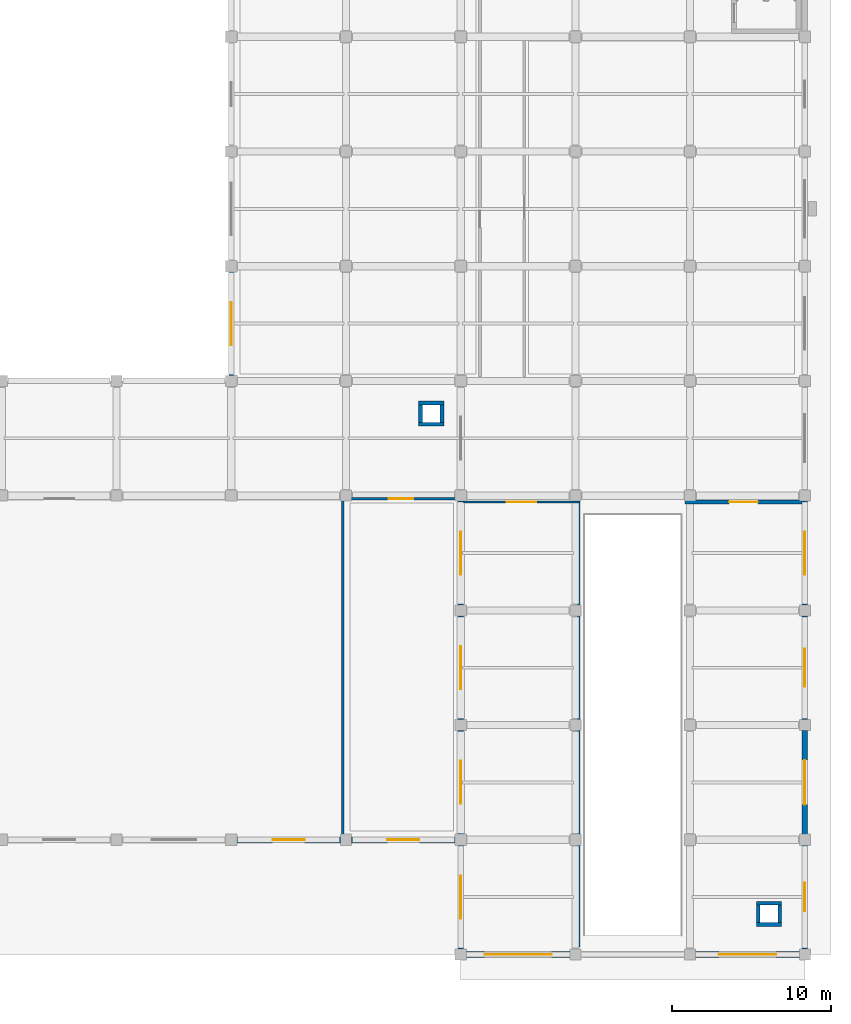
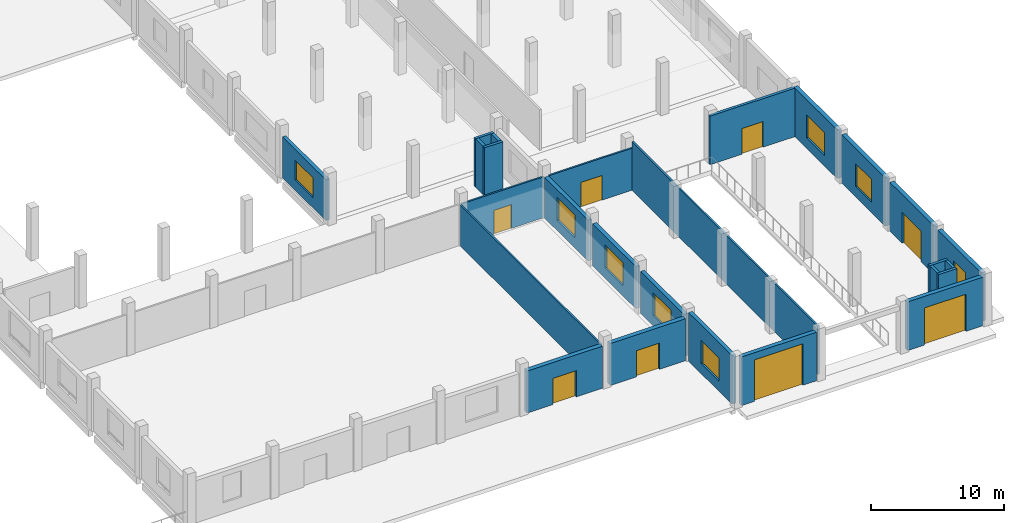
# One storey, part 40 of 59: 26 walls, 8 doors, 8 windows, 16 openings.
"""IFC4 building model written with IfcOpenShell, lengths in metres."""

from ifc_helpers import new_model, si_unit, direction, frame, frame_2d, origin, place, context, subcontext, project, spatial, rectangle, extrude, material, layer, layer_set, type_object, element, fill, save


model = new_model("IFC4")

# Units and contexts
model_context = context("Model", 3, precision=1e-05, world=origin(), true_north=direction((0.0, 1.0)))
body_context = subcontext(model_context, "Body", "Model", "MODEL_VIEW")
ifc_project = project(units=[si_unit("LENGTHUNIT", "METRE"), si_unit("AREAUNIT", "SQUARE_METRE"), si_unit("VOLUMEUNIT", "CUBIC_METRE"), si_unit("PLANEANGLEUNIT", "RADIAN"), si_unit("MASSUNIT", "GRAM", prefix="KILO")], contexts=[model_context])

# Site, building, storey
site_placement = place(None, origin())
site = spatial("IfcSite", under=ifc_project, at=site_placement, CompositionType="ELEMENT")
building_placement = place(site_placement, origin())
building = spatial("IfcBuilding", under=site, at=building_placement, Name="Valkovuoma Quantum and Materials Research Institute", CompositionType="ELEMENT")
storey_placement = place(building_placement, origin())
storey = spatial("IfcBuildingStorey", under=building, at=storey_placement, Name="L00", CompositionType="ELEMENT", Elevation=0.0)

# Wall, opening, window
ifc_material_1 = material(Name="Precast concrete C40/50", Category="concrete")
ifc_layer_1 = layer(ifc_material_1, 0.300048828125)
ifc_layer_set_1 = layer_set([ifc_layer_1], Name="Precast concrete C40/50")
wall_type_1 = type_object("IfcWallType", Name="Wall-W-EXT300", PredefinedType="SOLIDWALL", material=ifc_layer_set_1)
wall_1_placement = place(storey_placement, frame((129.60009765625, 36.340087890625, 0.0), z_axis=(0.0, 0.0, 1.0), x_axis=(0.0, 1.0, 0.0)))
wall_1 = element("IfcWall", 1, at=wall_1_placement, inside=storey, type_object=wall_type_1, Name="L00 exterior wall 0187", PredefinedType="SOLIDWALL", context=body_context, shape_type="SweptSolid", body=[
    extrude(rectangle(XDim=6.52001953125, YDim=0.300048828125, at=frame_2d((3.260009765625, 0.0))), origin(), (0.0, 0.0, 1.0), 3.75),
])
opening_1_placement = place(wall_1_placement, frame((1.909912109375, 0.0, 0.949951171875)))
opening_1 = element("IfcOpeningElement", 2, at=opening_1_placement, cuts=wall_1, Name="Opening WN-WL11", PredefinedType="OPENING", context=body_context, shape_type="SweptSolid", body=[
    extrude(rectangle(XDim=2.699951171875, YDim=1.800048828125, at=frame_2d((1.35009765625, 0.89990234375))), frame((0.0, 0.16015625, 0.0), z_axis=(0.0, -1.0, 0.0), x_axis=(1.0, 0.0, 0.0)), (0.0, 0.0, 1.0), 0.320068359375),
])
ifc_material_2 = material(Name="Triple low-E argon glazing in thermally broken aluminium frame", Category="aluminium")
window_type_1 = type_object("IfcWindowType", Name="Win-WN-WL11", PartitioningType="SINGLE_PANEL", PredefinedType="WINDOW", material=ifc_material_2)
window_1_placement = place(opening_1_placement, origin())
window_1 = element("IfcWindow", 3, at=window_1_placement, inside=storey, type_object=window_type_1, Name="L00 window 0216", OverallHeight=1.800048828125, OverallWidth=2.699951171875, PartitioningType="SINGLE_PANEL", PredefinedType="WINDOW", context=body_context, shape_type="SweptSolid", body=[
    extrude(rectangle(XDim=2.699951171875, YDim=1.800048828125, at=frame_2d((1.35009765625, 0.89990234375))), frame((0.0, 0.030029296875, 0.0), z_axis=(0.0, -1.0, 0.0), x_axis=(1.0, 0.0, 0.0)), (0.0, 0.0, 1.0), 0.06005859375),
])
fill(opening_1, window_1)

ifc_material_3 = material(Name="Precast concrete C40/50", Category="concrete")
ifc_layer_2 = layer(ifc_material_3, 0.340087890625)
ifc_layer_set_2 = layer_set([ifc_layer_2], Name="Precast concrete C40/50")
wall_type_2 = type_object("IfcWallType", Name="Wall-W-EXT340", PredefinedType="SOLIDWALL", material=ifc_layer_set_2)
wall_2_placement = place(storey_placement, frame((144.0, 0.340087890625, 0.0), z_axis=(0.0, 0.0, 1.0), x_axis=(0.0, 1.0, 0.0)))
wall_2 = element("IfcWall", 4, at=wall_2_placement, inside=storey, type_object=wall_type_2, Name="L00 exterior wall 0200", PredefinedType="SOLIDWALL", context=body_context, shape_type="SweptSolid", body=[
    extrude(rectangle(XDim=6.52001953125, YDim=0.340087890625, at=frame_2d((3.260009765625, 0.0))), origin(), (0.0, 0.0, 1.0), 4.449951171875),
])
opening_2_placement = place(wall_2_placement, frame((1.909912109375, 0.0, 0.949951171875)))
opening_2 = element("IfcOpeningElement", 5, at=opening_2_placement, cuts=wall_2, Name="Opening WN-WL04", PredefinedType="OPENING", context=body_context, shape_type="SweptSolid", body=[
    extrude(rectangle(XDim=2.699951171875, YDim=2.10009765625, at=frame_2d((1.35009765625, 1.050048828125))), frame((0.0, 0.18017578125, 0.0), z_axis=(0.0, -1.0, 0.0), x_axis=(1.0, 0.0, 0.0)), (0.0, 0.0, 1.0), 0.360107421875),
])
ifc_material_4 = material(Name="Triple low-E argon glazing in thermally broken aluminium frame", Category="aluminium")
window_type_2 = type_object("IfcWindowType", Name="Win-WN-WL04", PartitioningType="SINGLE_PANEL", PredefinedType="WINDOW", material=ifc_material_4)
window_2_placement = place(opening_2_placement, origin())
window_2 = element("IfcWindow", 6, at=window_2_placement, inside=storey, type_object=window_type_2, Name="L00 window 0226", OverallHeight=2.10009765625, OverallWidth=2.699951171875, PartitioningType="SINGLE_PANEL", PredefinedType="WINDOW", context=body_context, shape_type="SweptSolid", body=[
    extrude(rectangle(XDim=2.699951171875, YDim=2.10009765625, at=frame_2d((1.35009765625, 1.050048828125))), frame((0.0, 0.030029296875, 0.0), z_axis=(0.0, -1.0, 0.0), x_axis=(1.0, 0.0, 0.0)), (0.0, 0.0, 1.0), 0.06005859375),
])
fill(opening_2, window_2)

wall_3_placement = place(storey_placement, frame((144.0, 7.5400390625, 0.0), z_axis=(0.0, 0.0, 1.0), x_axis=(0.0, 1.0, 0.0)))
wall_3 = element("IfcWall", 7, at=wall_3_placement, inside=storey, type_object=wall_type_2, Name="L00 exterior wall 0201", PredefinedType="SOLIDWALL", context=body_context, shape_type="SweptSolid", body=[
    extrude(rectangle(XDim=6.52001953125, YDim=0.340087890625, at=frame_2d((3.260009765625, 0.0))), origin(), (0.0, 0.0, 1.0), 3.85009765625),
])
opening_3_placement = place(wall_3_placement, frame((1.909912109375, 0.0, 0.949951171875)))
opening_3 = element("IfcOpeningElement", 8, at=opening_3_placement, cuts=wall_3, Name="Opening WN-WL04", PredefinedType="OPENING", context=body_context, shape_type="SweptSolid", body=[
    extrude(rectangle(XDim=2.699951171875, YDim=2.10009765625, at=frame_2d((1.35009765625, 1.050048828125))), frame((0.0, 0.18017578125, 0.0), z_axis=(0.0, -1.0, 0.0), x_axis=(1.0, 0.0, 0.0)), (0.0, 0.0, 1.0), 0.360107421875),
])
window_3_placement = place(opening_3_placement, origin())
window_3 = element("IfcWindow", 9, at=window_3_placement, inside=storey, type_object=window_type_2, Name="L00 window 0227", OverallHeight=2.10009765625, OverallWidth=2.699951171875, PartitioningType="SINGLE_PANEL", PredefinedType="WINDOW", context=body_context, shape_type="SweptSolid", body=[
    extrude(rectangle(XDim=2.699951171875, YDim=2.10009765625, at=frame_2d((1.35009765625, 1.050048828125))), frame((0.0, 0.030029296875, 0.0), z_axis=(0.0, -1.0, 0.0), x_axis=(1.0, 0.0, 0.0)), (0.0, 0.0, 1.0), 0.06005859375),
])
fill(opening_3, window_3)

wall_4_placement = place(storey_placement, frame((144.0, 14.739990234375, 0.0), z_axis=(0.0, 0.0, 1.0), x_axis=(0.0, 1.0, 0.0)))
wall_4 = element("IfcWall", 10, at=wall_4_placement, inside=storey, type_object=wall_type_2, Name="L00 exterior wall 0202", PredefinedType="SOLIDWALL", context=body_context, shape_type="SweptSolid", body=[
    extrude(rectangle(XDim=6.52001953125, YDim=0.340087890625, at=frame_2d((3.260009765625, 0.0))), origin(), (0.0, 0.0, 1.0), 3.85009765625),
])
opening_4_placement = place(wall_4_placement, frame((1.909912109375, 0.0, 0.949951171875)))
opening_4 = element("IfcOpeningElement", 11, at=opening_4_placement, cuts=wall_4, Name="Opening WN-WL04", PredefinedType="OPENING", context=body_context, shape_type="SweptSolid", body=[
    extrude(rectangle(XDim=2.699951171875, YDim=2.10009765625, at=frame_2d((1.35009765625, 1.050048828125))), frame((0.0, 0.18017578125, 0.0), z_axis=(0.0, -1.0, 0.0), x_axis=(1.0, 0.0, 0.0)), (0.0, 0.0, 1.0), 0.360107421875),
])
window_4_placement = place(opening_4_placement, origin())
window_4 = element("IfcWindow", 12, at=window_4_placement, inside=storey, type_object=window_type_2, Name="L00 window 0228", OverallHeight=2.10009765625, OverallWidth=2.699951171875, PartitioningType="SINGLE_PANEL", PredefinedType="WINDOW", context=body_context, shape_type="SweptSolid", body=[
    extrude(rectangle(XDim=2.699951171875, YDim=2.10009765625, at=frame_2d((1.35009765625, 1.050048828125))), frame((0.0, 0.030029296875, 0.0), z_axis=(0.0, -1.0, 0.0), x_axis=(1.0, 0.0, 0.0)), (0.0, 0.0, 1.0), 0.06005859375),
])
fill(opening_4, window_4)

wall_5_placement = place(storey_placement, frame((144.0, 21.93994140625, 0.0), z_axis=(0.0, 0.0, 1.0), x_axis=(0.0, 1.0, 0.0)))
wall_5 = element("IfcWall", 13, at=wall_5_placement, inside=storey, type_object=wall_type_2, Name="L00 exterior wall 0203", PredefinedType="SOLIDWALL", context=body_context, shape_type="SweptSolid", body=[
    extrude(rectangle(XDim=6.52001953125, YDim=0.340087890625, at=frame_2d((3.260009765625, 0.0))), origin(), (0.0, 0.0, 1.0), 3.75),
])
opening_5_placement = place(wall_5_placement, frame((1.909912109375, 0.0, 0.949951171875)))
opening_5 = element("IfcOpeningElement", 14, at=opening_5_placement, cuts=wall_5, Name="Opening WN-WL04", PredefinedType="OPENING", context=body_context, shape_type="SweptSolid", body=[
    extrude(rectangle(XDim=2.699951171875, YDim=2.10009765625, at=frame_2d((1.35009765625, 1.050048828125))), frame((0.0, 0.18017578125, 0.0), z_axis=(0.0, -1.0, 0.0), x_axis=(1.0, 0.0, 0.0)), (0.0, 0.0, 1.0), 0.360107421875),
])
window_5_placement = place(opening_5_placement, origin())
window_5 = element("IfcWindow", 15, at=window_5_placement, inside=storey, type_object=window_type_2, Name="L00 window 0229", OverallHeight=2.10009765625, OverallWidth=2.699951171875, PartitioningType="SINGLE_PANEL", PredefinedType="WINDOW", context=body_context, shape_type="SweptSolid", body=[
    extrude(rectangle(XDim=2.699951171875, YDim=2.10009765625, at=frame_2d((1.35009765625, 1.050048828125))), frame((0.0, 0.030029296875, 0.0), z_axis=(0.0, -1.0, 0.0), x_axis=(1.0, 0.0, 0.0)), (0.0, 0.0, 1.0), 0.06005859375),
])
fill(opening_5, window_5)

ifc_material_5 = material(Name="Precast concrete C40/50", Category="concrete")
ifc_layer_3 = layer(ifc_material_5, 0.360107421875)
ifc_layer_set_3 = layer_set([ifc_layer_3], Name="Precast concrete C40/50")
wall_type_3 = type_object("IfcWallType", Name="Wall-W-EXT360", PredefinedType="SOLIDWALL", material=ifc_layer_set_3)
wall_6_placement = place(storey_placement, frame((165.60009765625, 0.340087890625, 0.0), z_axis=(0.0, 0.0, 1.0), x_axis=(0.0, 1.0, 0.0)))
wall_6 = element("IfcWall", 16, at=wall_6_placement, inside=storey, type_object=wall_type_3, Name="L00 exterior wall 0166", PredefinedType="SOLIDWALL", context=body_context, shape_type="SweptSolid", body=[
    extrude(rectangle(XDim=6.52001953125, YDim=0.360107421875, at=frame_2d((3.260009765625, 0.0))), origin(), (0.0, 0.0, 1.0), 4.449951171875),
])
opening_6_placement = place(wall_6_placement, frame((2.360107421875, 0.0, 0.949951171875)))
opening_6 = element("IfcOpeningElement", 17, at=opening_6_placement, cuts=wall_6, Name="Opening WN-WL01", PredefinedType="OPENING", context=body_context, shape_type="SweptSolid", body=[
    extrude(rectangle(XDim=1.800048828125, YDim=2.10009765625, at=frame_2d((0.89990234375, 1.050048828125))), frame((0.0, 0.18994140625, 0.0), z_axis=(0.0, -1.0, 0.0), x_axis=(1.0, 0.0, 0.0)), (0.0, 0.0, 1.0), 0.380126953125),
])
ifc_material_6 = material(Name="Triple low-E argon glazing in thermally broken aluminium frame", Category="aluminium")
window_type_3 = type_object("IfcWindowType", Name="Win-WN-WL01", PartitioningType="SINGLE_PANEL", PredefinedType="WINDOW", material=ifc_material_6)
window_6_placement = place(opening_6_placement, origin())
window_6 = element("IfcWindow", 18, at=window_6_placement, inside=storey, type_object=window_type_3, Name="L00 window 0200", OverallHeight=2.10009765625, OverallWidth=1.800048828125, PartitioningType="SINGLE_PANEL", PredefinedType="WINDOW", context=body_context, shape_type="SweptSolid", body=[
    extrude(rectangle(XDim=1.800048828125, YDim=2.10009765625, at=frame_2d((0.89990234375, 1.050048828125))), frame((0.0, 0.030029296875, 0.0), z_axis=(0.0, -1.0, 0.0), x_axis=(1.0, 0.0, 0.0)), (0.0, 0.0, 1.0), 0.06005859375),
])
fill(opening_6, window_6)

# Wall, opening, door
wall_7_placement = place(storey_placement, frame((165.60009765625, 7.5400390625, 0.0), z_axis=(0.0, 0.0, 1.0), x_axis=(0.0, 1.0, 0.0)))
wall_7 = element("IfcWall", 19, at=wall_7_placement, inside=storey, type_object=wall_type_3, Name="L00 exterior wall 0167", PredefinedType="SOLIDWALL", context=body_context, shape_type="SweptSolid", body=[
    extrude(rectangle(XDim=6.52001953125, YDim=0.360107421875, at=frame_2d((3.260009765625, 0.0))), origin(), (0.0, 0.0, 1.0), 4.449951171875),
])
opening_7_placement = place(wall_7_placement, frame((1.860107421875, 0.0, 0.0)))
opening_7 = element("IfcOpeningElement", 20, at=opening_7_placement, cuts=wall_7, Name="Opening GT-024", PredefinedType="OPENING", context=body_context, shape_type="SweptSolid", body=[
    extrude(rectangle(XDim=2.800048828125, YDim=2.800048828125, at=frame_2d((1.39990234375, 1.39990234375))), frame((0.0, 0.18994140625, 0.0), z_axis=(0.0, -1.0, 0.0), x_axis=(1.0, 0.0, 0.0)), (0.0, 0.0, 1.0), 0.380126953125),
])
ifc_material_7 = material(Name="Thermally broken insulated aluminium and steel door", Category="steel")
door_type_1 = type_object("IfcDoorType", Name="Door-GT-SV01", OperationType="NOTDEFINED", PredefinedType="GATE", material=ifc_material_7)
door_1_placement = place(opening_7_placement, frame((2.800048828125, 0.0, 0.0), z_axis=(0.0, 0.0, 1.0), x_axis=(-1.0, 0.0, 0.0)))
door_1 = element("IfcDoor", 21, at=door_1_placement, inside=storey, type_object=door_type_1, Name="L00 exterior door 024", OperationType="ROLLINGUP", OverallHeight=2.800048828125, OverallWidth=2.800048828125, PredefinedType="GATE", context=body_context, shape_type="SweptSolid", body=[
    extrude(rectangle(XDim=2.800048828125, YDim=2.800048828125, at=frame_2d((1.39990234375, 1.39990234375))), frame((0.0, 0.02490234375, 0.0), z_axis=(0.0, -1.0, 0.0), x_axis=(1.0, 0.0, 0.0)), (0.0, 0.0, 1.0), 0.050048828125),
])
fill(opening_7, door_1)

# Wall, opening, window
wall_8_placement = place(storey_placement, frame((165.60009765625, 14.739990234375, 0.0), z_axis=(0.0, 0.0, 1.0), x_axis=(0.0, 1.0, 0.0)))
wall_8 = element("IfcWall", 22, at=wall_8_placement, inside=storey, type_object=wall_type_3, Name="L00 exterior wall 0168", PredefinedType="SOLIDWALL", context=body_context, shape_type="SweptSolid", body=[
    extrude(rectangle(XDim=6.52001953125, YDim=0.360107421875, at=frame_2d((3.260009765625, 0.0))), origin(), (0.0, 0.0, 1.0), 4.449951171875),
])
opening_8_placement = place(wall_8_placement, frame((2.06005859375, 0.0, 0.949951171875)))
opening_8 = element("IfcOpeningElement", 23, at=opening_8_placement, cuts=wall_8, Name="Opening WN-WL03", PredefinedType="OPENING", context=body_context, shape_type="SweptSolid", body=[
    extrude(rectangle(XDim=2.39990234375, YDim=2.10009765625, at=frame_2d((1.199951171875, 1.050048828125))), frame((0.0, 0.18994140625, 0.0), z_axis=(0.0, -1.0, 0.0), x_axis=(1.0, 0.0, 0.0)), (0.0, 0.0, 1.0), 0.380126953125),
])
ifc_material_8 = material(Name="Triple low-E argon glazing in thermally broken aluminium frame", Category="aluminium")
window_type_4 = type_object("IfcWindowType", Name="Win-WN-WL03", PartitioningType="SINGLE_PANEL", PredefinedType="WINDOW", material=ifc_material_8)
window_7_placement = place(opening_8_placement, origin())
window_7 = element("IfcWindow", 24, at=window_7_placement, inside=storey, type_object=window_type_4, Name="L00 window 0201", OverallHeight=2.10009765625, OverallWidth=2.39990234375, PartitioningType="SINGLE_PANEL", PredefinedType="WINDOW", context=body_context, shape_type="SweptSolid", body=[
    extrude(rectangle(XDim=2.39990234375, YDim=2.10009765625, at=frame_2d((1.199951171875, 1.050048828125))), frame((0.0, 0.030029296875, 0.0), z_axis=(0.0, -1.0, 0.0), x_axis=(1.0, 0.0, 0.0)), (0.0, 0.0, 1.0), 0.06005859375),
])
fill(opening_8, window_7)

wall_9_placement = place(storey_placement, frame((165.60009765625, 21.93994140625, 0.0), z_axis=(0.0, 0.0, 1.0), x_axis=(0.0, 1.0, 0.0)))
wall_9 = element("IfcWall", 25, at=wall_9_placement, inside=storey, type_object=wall_type_3, Name="L00 exterior wall 0169", PredefinedType="SOLIDWALL", context=body_context, shape_type="SweptSolid", body=[
    extrude(rectangle(XDim=6.52001953125, YDim=0.360107421875, at=frame_2d((3.260009765625, 0.0))), origin(), (0.0, 0.0, 1.0), 4.449951171875),
])
opening_9_placement = place(wall_9_placement, frame((1.909912109375, 0.0, 0.949951171875)))
opening_9 = element("IfcOpeningElement", 26, at=opening_9_placement, cuts=wall_9, Name="Opening WN-WL04", PredefinedType="OPENING", context=body_context, shape_type="SweptSolid", body=[
    extrude(rectangle(XDim=2.699951171875, YDim=2.10009765625, at=frame_2d((1.35009765625, 1.050048828125))), frame((0.0, 0.18994140625, 0.0), z_axis=(0.0, -1.0, 0.0), x_axis=(1.0, 0.0, 0.0)), (0.0, 0.0, 1.0), 0.380126953125),
])
window_8_placement = place(opening_9_placement, origin())
window_8 = element("IfcWindow", 27, at=window_8_placement, inside=storey, type_object=window_type_2, Name="L00 window 0202", OverallHeight=2.10009765625, OverallWidth=2.699951171875, PartitioningType="SINGLE_PANEL", PredefinedType="WINDOW", context=body_context, shape_type="SweptSolid", body=[
    extrude(rectangle(XDim=2.699951171875, YDim=2.10009765625, at=frame_2d((1.35009765625, 1.050048828125))), frame((0.0, 0.030029296875, 0.0), z_axis=(0.0, -1.0, 0.0), x_axis=(1.0, 0.0, 0.0)), (0.0, 0.0, 1.0), 0.06005859375),
])
fill(opening_9, window_8)

# Wall, opening, door
wall_10_placement = place(storey_placement, frame((144.340087890625, 0.0, 0.0), z_axis=(0.0, 0.0, 1.0), x_axis=(1.0, 0.0, 0.0)))
wall_10 = element("IfcWall", 28, at=wall_10_placement, inside=storey, type_object=wall_type_3, Name="L00 exterior wall 0198", PredefinedType="SOLIDWALL", context=body_context, shape_type="SweptSolid", body=[
    extrude(rectangle(XDim=6.52001953125, YDim=0.360107421875, at=frame_2d((3.260009765625, 0.0))), origin(), (0.0, 0.0, 1.0), 4.449951171875),
])
opening_10_placement = place(wall_10_placement, frame((1.159912109375, 0.0, 0.0)))
opening_10 = element("IfcOpeningElement", 29, at=opening_10_placement, cuts=wall_10, Name="Opening GT-028", PredefinedType="OPENING", context=body_context, shape_type="SweptSolid", body=[
    extrude(rectangle(XDim=4.199951171875, YDim=3.800048828125, at=frame_2d((2.10009765625, 1.89990234375))), frame((0.0, 0.18994140625, 0.0), z_axis=(0.0, -1.0, 0.0), x_axis=(1.0, 0.0, 0.0)), (0.0, 0.0, 1.0), 0.380126953125),
])
ifc_material_9 = material(Name="Thermally broken insulated aluminium and steel door", Category="steel")
door_type_2 = type_object("IfcDoorType", Name="Door-GT-LD01", OperationType="NOTDEFINED", PredefinedType="GATE", material=ifc_material_9)
door_2_placement = place(opening_10_placement, frame((4.199951171875, 0.0, 0.0), z_axis=(0.0, 0.0, 1.0), x_axis=(-1.0, 0.0, 0.0)))
door_2 = element("IfcDoor", 30, at=door_2_placement, inside=storey, type_object=door_type_2, Name="L00 exterior door 028", OperationType="ROLLINGUP", OverallHeight=3.800048828125, OverallWidth=4.199951171875, PredefinedType="GATE", context=body_context, shape_type="SweptSolid", body=[
    extrude(rectangle(XDim=4.199951171875, YDim=3.800048828125, at=frame_2d((2.10009765625, 1.89990234375))), frame((0.0, 0.02490234375, 0.0), z_axis=(0.0, -1.0, 0.0), x_axis=(1.0, 0.0, 0.0)), (0.0, 0.0, 1.0), 0.050048828125),
])
fill(opening_10, door_2)

wall_11_placement = place(storey_placement, frame((158.739990234375, 0.0, 0.0), z_axis=(0.0, 0.0, 1.0), x_axis=(1.0, 0.0, 0.0)))
wall_11 = element("IfcWall", 31, at=wall_11_placement, inside=storey, type_object=wall_type_3, Name="L00 exterior wall 0199", PredefinedType="SOLIDWALL", context=body_context, shape_type="SweptSolid", body=[
    extrude(rectangle(XDim=6.52001953125, YDim=0.360107421875, at=frame_2d((3.260009765625, 0.0))), origin(), (0.0, 0.0, 1.0), 4.449951171875),
])
opening_11_placement = place(wall_11_placement, frame((1.4599609375, 0.0, 0.0)))
opening_11 = element("IfcOpeningElement", 32, at=opening_11_placement, cuts=wall_11, Name="Opening GT-029", PredefinedType="OPENING", context=body_context, shape_type="SweptSolid", body=[
    extrude(rectangle(XDim=3.60009765625, YDim=3.39990234375, at=frame_2d((1.800048828125, 1.699951171875))), frame((0.0, 0.18994140625, 0.0), z_axis=(0.0, -1.0, 0.0), x_axis=(1.0, 0.0, 0.0)), (0.0, 0.0, 1.0), 0.380126953125),
])
ifc_material_10 = material(Name="Thermally broken insulated aluminium and steel door", Category="steel")
door_type_3 = type_object("IfcDoorType", Name="Door-GT-LD02", OperationType="NOTDEFINED", PredefinedType="GATE", material=ifc_material_10)
door_3_placement = place(opening_11_placement, frame((3.60009765625, 0.0, 0.0), z_axis=(0.0, 0.0, 1.0), x_axis=(-1.0, 0.0, 0.0)))
door_3 = element("IfcDoor", 33, at=door_3_placement, inside=storey, type_object=door_type_3, Name="L00 exterior door 029", OperationType="ROLLINGUP", OverallHeight=3.39990234375, OverallWidth=3.60009765625, PredefinedType="GATE", context=body_context, shape_type="SweptSolid", body=[
    extrude(rectangle(XDim=3.60009765625, YDim=3.39990234375, at=frame_2d((1.800048828125, 1.699951171875))), frame((0.0, 0.02490234375, 0.0), z_axis=(0.0, -1.0, 0.0), x_axis=(1.0, 0.0, 0.0)), (0.0, 0.0, 1.0), 0.050048828125),
])
fill(opening_11, door_3)

ifc_material_11 = material(Name="Precast concrete C40/50", Category="concrete")
ifc_layer_4 = layer(ifc_material_11, 0.3798828125)
ifc_layer_set_4 = layer_set([ifc_layer_4], Name="Precast concrete C40/50")
wall_type_4 = type_object("IfcWallType", Name="Wall-W-EXT380", PredefinedType="SOLIDWALL", material=ifc_layer_set_4)
wall_12_placement = place(storey_placement, frame((129.93994140625, 7.199951171875, 0.0), z_axis=(0.0, 0.0, 1.0), x_axis=(1.0, 0.0, 0.0)))
wall_12 = element("IfcWall", 34, at=wall_12_placement, inside=storey, type_object=wall_type_4, Name="L00 exterior wall 0086", PredefinedType="SOLIDWALL", context=body_context, shape_type="SweptSolid", body=[
    extrude(rectangle(XDim=6.52001953125, YDim=0.3798828125, at=frame_2d((3.260009765625, 0.0))), origin(), (0.0, 0.0, 1.0), 3.85009765625),
])
opening_12_placement = place(wall_12_placement, frame((2.260009765625, 0.0, 0.0)))
opening_12 = element("IfcOpeningElement", 35, at=opening_12_placement, cuts=wall_12, Name="Opening ED-019", PredefinedType="OPENING", context=body_context, shape_type="SweptSolid", body=[
    extrude(rectangle(XDim=2.0, YDim=2.39990234375, at=frame_2d((1.0, 1.199951171875))), frame((0.0, 0.199951171875, 0.0), z_axis=(0.0, -1.0, 0.0), x_axis=(1.0, 0.0, 0.0)), (0.0, 0.0, 1.0), 0.39990234375),
])
ifc_material_12 = material(Name="Thermally broken insulated aluminium and steel door", Category="steel")
door_type_4 = type_object("IfcDoorType", Name="Door-DR-EX01", OperationType="NOTDEFINED", PredefinedType="DOOR", material=ifc_material_12)
door_4_placement = place(opening_12_placement, frame((2.0, 0.0, 0.0), z_axis=(0.0, 0.0, 1.0), x_axis=(-1.0, 0.0, 0.0)))
door_4 = element("IfcDoor", 36, at=door_4_placement, inside=storey, type_object=door_type_4, Name="L00 exterior door 019", OperationType="DOUBLE_DOOR_SINGLE_SWING", OverallHeight=2.39990234375, OverallWidth=2.0, PredefinedType="DOOR", context=body_context, shape_type="SweptSolid", body=[
    extrude(rectangle(XDim=2.0, YDim=2.39990234375, at=frame_2d((1.0, 1.199951171875))), frame((0.0, 0.02490234375, 0.0), z_axis=(0.0, -1.0, 0.0), x_axis=(1.0, 0.0, 0.0)), (0.0, 0.0, 1.0), 0.050048828125),
])
fill(opening_12, door_4)

wall_13_placement = place(storey_placement, frame((137.139892578125, 7.199951171875, 0.0), z_axis=(0.0, 0.0, 1.0), x_axis=(1.0, 0.0, 0.0)))
wall_13 = element("IfcWall", 37, at=wall_13_placement, inside=storey, type_object=wall_type_4, Name="L00 exterior wall 0087", PredefinedType="SOLIDWALL", context=body_context, shape_type="SweptSolid", body=[
    extrude(rectangle(XDim=6.52001953125, YDim=0.3798828125, at=frame_2d((3.260009765625, 0.0))), origin(), (0.0, 0.0, 1.0), 3.85009765625),
])
opening_13_placement = place(wall_13_placement, frame((2.260009765625, 0.0, 0.0)))
opening_13 = element("IfcOpeningElement", 38, at=opening_13_placement, cuts=wall_13, Name="Opening ED-020", PredefinedType="OPENING", context=body_context, shape_type="SweptSolid", body=[
    extrude(rectangle(XDim=2.0, YDim=2.39990234375, at=frame_2d((1.0, 1.199951171875))), frame((0.0, 0.199951171875, 0.0), z_axis=(0.0, -1.0, 0.0), x_axis=(1.0, 0.0, 0.0)), (0.0, 0.0, 1.0), 0.39990234375),
])
door_5_placement = place(opening_13_placement, frame((2.0, 0.0, 0.0), z_axis=(0.0, 0.0, 1.0), x_axis=(-1.0, 0.0, 0.0)))
door_5 = element("IfcDoor", 39, at=door_5_placement, inside=storey, type_object=door_type_4, Name="L00 exterior door 020", OperationType="DOUBLE_DOOR_SINGLE_SWING", OverallHeight=2.39990234375, OverallWidth=2.0, PredefinedType="DOOR", context=body_context, shape_type="SweptSolid", body=[
    extrude(rectangle(XDim=2.0, YDim=2.39990234375, at=frame_2d((1.0, 1.199951171875))), frame((0.0, 0.02490234375, 0.0), z_axis=(0.0, -1.0, 0.0), x_axis=(1.0, 0.0, 0.0)), (0.0, 0.0, 1.0), 0.050048828125),
])
fill(opening_13, door_5)

# Wall
ifc_material_13 = material(Name="Interior office stud partition", Category="masonry")
ifc_layer_5 = layer(ifc_material_13, 0.135009765625)
ifc_layer_set_5 = layer_set([ifc_layer_5], Name="Interior office stud partition")
wall_type_5 = type_object("IfcWallType", Name="Wall-W-PRT135", PredefinedType="PARTITIONING", material=ifc_layer_set_5)
wall_14_placement = place(storey_placement, frame((136.60009765625, 7.389892578125, 0.0), z_axis=(0.0, 0.0, 1.0), x_axis=(0.0, 1.0, 0.0)))
element("IfcWall", 40, at=wall_14_placement, inside=storey, type_object=wall_type_5, Name="L00 partition 0040", PredefinedType="PARTITIONING", context=body_context, shape_type="SweptSolid", body=[
    extrude(rectangle(XDim=21.142578125, YDim=0.135009765625, at=frame_2d((10.5712890625, 0.0))), origin(), (0.0, 0.0, 1.0), 3.75),
])

# Wall, opening, door
ifc_material_14 = material(Name="Acoustic write-up studio partition", Category="masonry")
ifc_layer_6 = layer(ifc_material_14, 0.14990234375)
ifc_layer_set_6 = layer_set([ifc_layer_6], Name="Acoustic write-up studio partition")
wall_type_6 = type_object("IfcWallType", Name="Wall-W-PRT150", PredefinedType="PARTITIONING", material=ifc_layer_set_6)
wall_15_placement = place(storey_placement, frame((136.66748046875, 28.60009765625, 0.0), z_axis=(0.0, 0.0, 1.0), x_axis=(1.0, 0.0, 0.0)))
wall_15 = element("IfcWall", 41, at=wall_15_placement, inside=storey, type_object=wall_type_6, Name="L00 partition 0041", PredefinedType="PARTITIONING", context=body_context, shape_type="SweptSolid", body=[
    extrude(rectangle(XDim=7.16259765625, YDim=0.14990234375, at=frame_2d((3.581298828125, 0.0))), origin(), (0.0, 0.0, 1.0), 3.75),
])
opening_14_placement = place(wall_15_placement, frame((2.816162109375, 0.0, 0.0)))
opening_14 = element("IfcOpeningElement", 42, at=opening_14_placement, cuts=wall_15, Name="Opening ID-0029", PredefinedType="OPENING", context=body_context, shape_type="SweptSolid", body=[
    extrude(rectangle(XDim=1.530029296875, YDim=2.179931640625, at=frame_2d((0.76513671875, 1.08984375))), frame((0.0, 0.0849609375, 0.0), z_axis=(0.0, -1.0, 0.0), x_axis=(1.0, 0.0, 0.0)), (0.0, 0.0, 1.0), 0.169921875),
])
ifc_material_15 = material(Name="Powder-coated steel and acoustic timber door assembly", Category="steel")
door_type_5 = type_object("IfcDoorType", Name="Door-DR-RM13", OperationType="NOTDEFINED", PredefinedType="DOOR", material=ifc_material_15)
door_6_placement = place(opening_14_placement, origin())
door_6 = element("IfcDoor", 43, at=door_6_placement, inside=storey, type_object=door_type_5, Name="L00 room door 0029", OperationType="SINGLE_SWING_RIGHT", OverallHeight=2.179931640625, OverallWidth=1.530029296875, PredefinedType="DOOR", context=body_context, shape_type="SweptSolid", body=[
    extrude(rectangle(XDim=1.530029296875, YDim=2.179931640625, at=frame_2d((0.76513671875, 1.08984375))), frame((0.0, 0.02490234375, 0.0), z_axis=(0.0, -1.0, 0.0), x_axis=(1.0, 0.0, 0.0)), (0.0, 0.0, 1.0), 0.050048828125),
])
fill(opening_14, door_6)

wall_16_placement = place(storey_placement, frame((144.169921875, 28.39990234375, 0.0), z_axis=(0.0, 0.0, 1.0), x_axis=(1.0, 0.0, 0.0)))
wall_16 = element("IfcWall", 44, at=wall_16_placement, inside=storey, type_object=wall_type_6, Name="L00 partition 0047", PredefinedType="PARTITIONING", context=body_context, shape_type="SweptSolid", body=[
    extrude(rectangle(XDim=7.30517578125, YDim=0.14990234375, at=frame_2d((3.652587890625, 0.0))), origin(), (0.0, 0.0, 1.0), 3.85009765625),
])
opening_15_placement = place(wall_16_placement, frame((2.732421875, 0.0, 0.0)))
opening_15 = element("IfcOpeningElement", 45, at=opening_15_placement, cuts=wall_16, Name="Opening ID-0035", PredefinedType="OPENING", context=body_context, shape_type="SweptSolid", body=[
    extrude(rectangle(XDim=1.840087890625, YDim=2.260009765625, at=frame_2d((0.919921875, 1.1298828125))), frame((0.0, 0.0849609375, 0.0), z_axis=(0.0, -1.0, 0.0), x_axis=(1.0, 0.0, 0.0)), (0.0, 0.0, 1.0), 0.169921875),
])
ifc_material_16 = material(Name="Powder-coated steel and acoustic timber door assembly", Category="steel")
door_type_6 = type_object("IfcDoorType", Name="Door-DR-RM19", OperationType="NOTDEFINED", PredefinedType="DOOR", material=ifc_material_16)
door_7_placement = place(opening_15_placement, origin())
door_7 = element("IfcDoor", 46, at=door_7_placement, inside=storey, type_object=door_type_6, Name="L00 room door 0035", OperationType="DOUBLE_DOOR_SINGLE_SWING", OverallHeight=2.260009765625, OverallWidth=1.840087890625, PredefinedType="DOOR", context=body_context, shape_type="SweptSolid", body=[
    extrude(rectangle(XDim=1.840087890625, YDim=2.260009765625, at=frame_2d((0.919921875, 1.1298828125))), frame((0.0, 0.02490234375, 0.0), z_axis=(0.0, -1.0, 0.0), x_axis=(1.0, 0.0, 0.0)), (0.0, 0.0, 1.0), 0.050048828125),
])
fill(opening_15, door_7)

# Wall
wall_17_placement = place(storey_placement, frame((151.39990234375, 0.47509765625, 0.0), z_axis=(0.0, 0.0, 1.0), x_axis=(0.0, 1.0, 0.0)))
element("IfcWall", 47, at=wall_17_placement, inside=storey, type_object=wall_type_6, Name="L00 partition 0048", PredefinedType="PARTITIONING", context=body_context, shape_type="SweptSolid", body=[
    extrude(rectangle(XDim=27.849853515625, YDim=0.14990234375, at=frame_2d((13.9248046875, 0.0))), origin(), (0.0, 0.0, 1.0), 4.449951171875),
])

# Wall, opening, door
ifc_material_17 = material(Name="Concrete C40/50", Category="concrete")
ifc_layer_7 = layer(ifc_material_17, 0.239990234375)
ifc_layer_set_7 = layer_set([ifc_layer_7], Name="Concrete C40/50")
wall_type_7 = type_object("IfcWallType", Name="Wall-W-SHF240", PredefinedType="SOLIDWALL", material=ifc_layer_set_7)
wall_18_placement = place(storey_placement, frame((158.080078125, 28.39990234375, 0.0), z_axis=(0.0, 0.0, 1.0), x_axis=(1.0, 0.0, 0.0)))
wall_18 = element("IfcWall", 48, at=wall_18_placement, inside=storey, type_object=wall_type_7, Name="L00 partition 0049", PredefinedType="SOLIDWALL", context=body_context, shape_type="SweptSolid", body=[
    extrude(rectangle(XDim=7.33984375, YDim=0.239990234375, at=frame_2d((3.669921875, 0.0))), origin(), (0.0, 0.0, 1.0), 4.449951171875),
])
opening_16_placement = place(wall_18_placement, frame((2.77001953125, 0.0, 0.0)))
opening_16 = element("IfcOpeningElement", 49, at=opening_16_placement, cuts=wall_18, Name="Opening ID-0036", PredefinedType="OPENING", context=body_context, shape_type="SweptSolid", body=[
    extrude(rectangle(XDim=1.800048828125, YDim=2.35009765625, at=frame_2d((0.89990234375, 1.175048828125))), frame((0.0, 0.1298828125, 0.0), z_axis=(0.0, -1.0, 0.0), x_axis=(1.0, 0.0, 0.0)), (0.0, 0.0, 1.0), 0.260009765625),
])
ifc_material_18 = material(Name="Powder-coated steel and acoustic timber door assembly", Category="steel")
door_type_7 = type_object("IfcDoorType", Name="Door-DR-PL02", OperationType="NOTDEFINED", PredefinedType="DOOR", material=ifc_material_18)
door_8_placement = place(opening_16_placement, origin())
door_8 = element("IfcDoor", 50, at=door_8_placement, inside=storey, type_object=door_type_7, Name="L00 room door 0036", OperationType="DOUBLE_DOOR_SINGLE_SWING", OverallHeight=2.35009765625, OverallWidth=1.800048828125, PredefinedType="DOOR", context=body_context, shape_type="SweptSolid", body=[
    extrude(rectangle(XDim=1.800048828125, YDim=2.35009765625, at=frame_2d((0.89990234375, 1.175048828125))), frame((0.0, 0.02490234375, 0.0), z_axis=(0.0, -1.0, 0.0), x_axis=(1.0, 0.0, 0.0)), (0.0, 0.0, 1.0), 0.050048828125),
])
fill(opening_16, door_8)

# Walls
for number, where, z_axis, x_axis, name in (
    (51, (141.360107421875, 33.280029296875, 0.0), (0.0, 0.0, 1.0), (1.0, 0.0, 0.0), "L00 core wall 0365"),
    (52, (141.360107421875, 34.6201171875, 0.0), (0.0, 0.0, 1.0), (1.0, 0.0, 0.0), "L00 core wall 0366"),
):
    element("IfcWall", number, at=place(storey_placement, frame(where, z_axis=z_axis, x_axis=x_axis)), inside=storey, type_object=wall_type_7, Name=name, PredefinedType="SOLIDWALL", context=body_context, shape_type="SweptSolid", body=[
        extrude(rectangle(XDim=1.579833984375, YDim=0.239990234375, at=frame_2d((0.7900390625, 0.0))), origin(), (0.0, 0.0, 1.0), 4.449951171875),
    ])
for number, where, z_axis, x_axis, name in (
    (53, (141.47998046875, 33.39990234375, 0.0), (0.0, 0.0, 1.0), (0.0, 1.0, 0.0), "L00 core wall 0367"),
    (54, (142.820068359375, 33.39990234375, 0.0), (0.0, 0.0, 1.0), (0.0, 1.0, 0.0), "L00 core wall 0368"),
):
    element("IfcWall", number, at=place(storey_placement, frame(where, z_axis=z_axis, x_axis=x_axis)), inside=storey, type_object=wall_type_7, Name=name, PredefinedType="SOLIDWALL", context=body_context, shape_type="SweptSolid", body=[
        extrude(rectangle(XDim=1.10009765625, YDim=0.239990234375, at=frame_2d((0.550048828125, 0.0))), origin(), (0.0, 0.0, 1.0), 4.449951171875),
    ])
for number, where, z_axis, x_axis, name in (
    (55, (162.56005859375, 1.8798828125, 0.0), (0.0, 0.0, 1.0), (1.0, 0.0, 0.0), "L00 core wall 0377"),
    (56, (162.56005859375, 3.219970703125, 0.0), (0.0, 0.0, 1.0), (1.0, 0.0, 0.0), "L00 core wall 0378"),
):
    element("IfcWall", number, at=place(storey_placement, frame(where, z_axis=z_axis, x_axis=x_axis)), inside=storey, type_object=wall_type_7, Name=name, PredefinedType="SOLIDWALL", context=body_context, shape_type="SweptSolid", body=[
        extrude(rectangle(XDim=1.579833984375, YDim=0.239990234375, at=frame_2d((0.7900390625, 0.0))), origin(), (0.0, 0.0, 1.0), 4.449951171875),
    ])
for number, where, z_axis, x_axis, name in (
    (57, (162.679931640625, 2.0, 0.0), (0.0, 0.0, 1.0), (0.0, 1.0, 0.0), "L00 core wall 0379"),
    (58, (164.02001953125, 2.0, 0.0), (0.0, 0.0, 1.0), (0.0, 1.0, 0.0), "L00 core wall 0380"),
):
    element("IfcWall", number, at=place(storey_placement, frame(where, z_axis=z_axis, x_axis=x_axis)), inside=storey, type_object=wall_type_7, Name=name, PredefinedType="SOLIDWALL", context=body_context, shape_type="SweptSolid", body=[
        extrude(rectangle(XDim=1.10009765625, YDim=0.239990234375, at=frame_2d((0.550048828125, 0.0))), origin(), (0.0, 0.0, 1.0), 4.449951171875),
    ])

save(model, "model.ifc")
